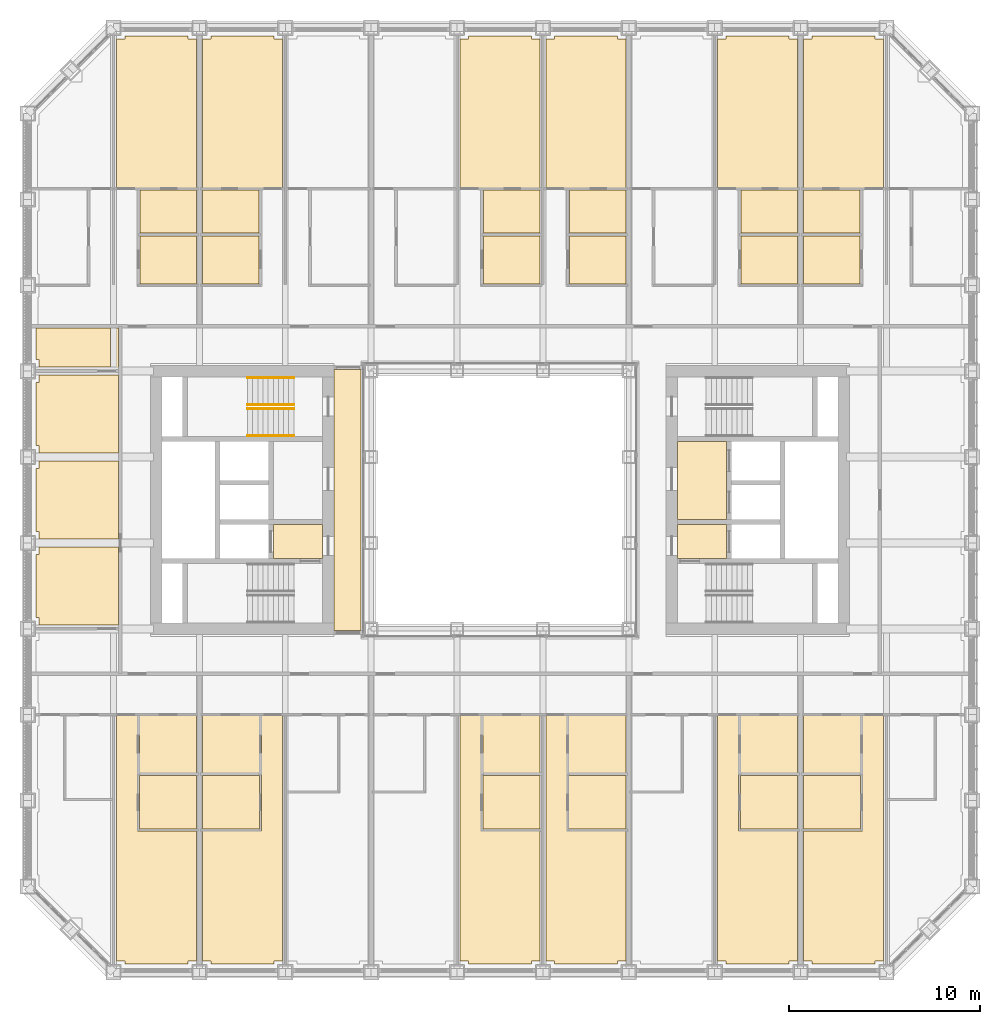
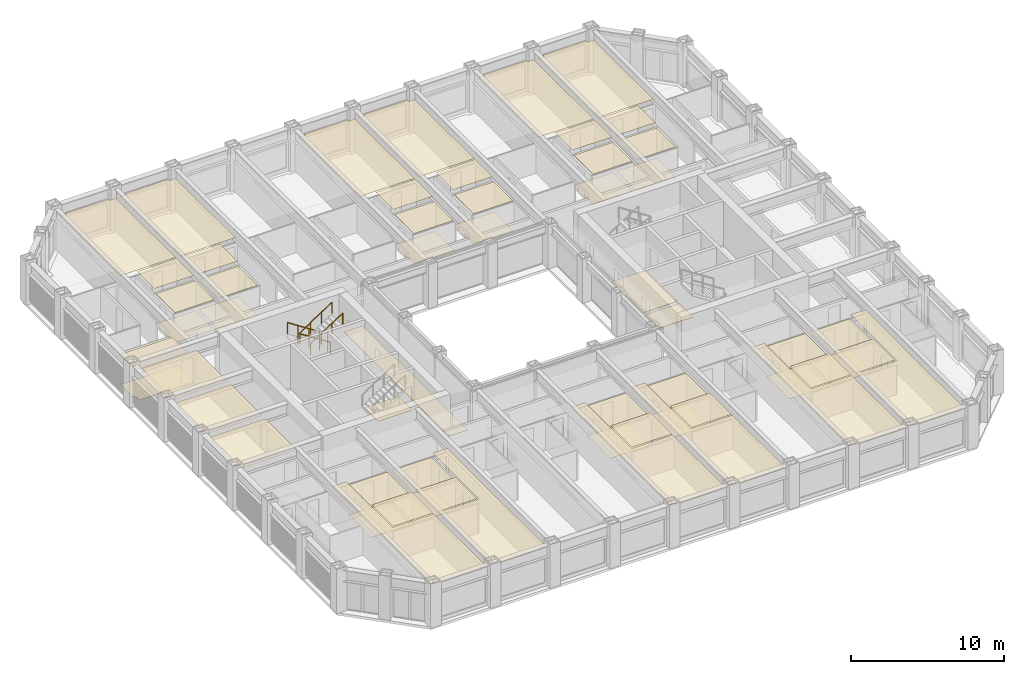
# One storey, part 18 of 21: 4 coverings, 4 railings.
"""IFC4 building model written with IfcOpenShell, lengths in metres."""

from ifc_helpers import new_model, si_unit, direction, frame, origin, origin_2d, place, context, subcontext, project, spatial, line, indexed_curve, circle, outline, extrude, material, layer, layer_set, type_object, element, save


model = new_model("IFC4")

# Units and contexts
model_context = context("Model", 3, precision=1e-05, world=origin(), true_north=direction((0.0, 1.0)))
body_context = subcontext(model_context, "Body", "Model", "MODEL_VIEW")
ifc_project = project(units=[si_unit("LENGTHUNIT", "METRE"), si_unit("AREAUNIT", "SQUARE_METRE"), si_unit("VOLUMEUNIT", "CUBIC_METRE"), si_unit("PLANEANGLEUNIT", "RADIAN"), si_unit("MASSUNIT", "GRAM", prefix="KILO")], contexts=[model_context])

# Site, building, storey
site_placement = place(None, origin())
site = spatial("IfcSite", under=ifc_project, at=site_placement, CompositionType="ELEMENT")
building_placement = place(site_placement, origin())
building = spatial("IfcBuilding", under=site, at=building_placement, Name="Msasa Ring Tower", CompositionType="ELEMENT")
storey_placement = place(building_placement, frame((0.0, 0.0, 47.5)))
storey = spatial("IfcBuildingStorey", under=building, at=storey_placement, Name="L11", CompositionType="ELEMENT", Elevation=47.5)

# Coverings
ifc_material_1 = material(Name="Gypsum plasterboard on a steel suspension grid", Category="steel")
ifc_layer_1 = layer(ifc_material_1, 0.014892578125)
ifc_layer_set_1 = layer_set([ifc_layer_1], Name="C1 SUSPENDED PLASTERBOARD CEILING 15")
covering_type_1 = type_object("IfcCoveringType", Name="C1 SUSPENDED PLASTERBOARD CEILING 15", PredefinedType="CEILING", material=ifc_layer_set_1)
covering_1_placement = place(storey_placement, frame((0.0, 0.0, 2.699951171875)))
element("IfcCovering", 1, at=covering_1_placement, inside=storey, type_object=covering_type_1, Name="Suspended Plasterboard Ceiling 15 L11", PredefinedType="CEILING", context=body_context, shape_type="SweptSolid", body=[
    extrude(outline(indexed_curve([(-20.00048828125, -6.539306640625), (-24.1494140625, -6.539306640625), (-24.1494140625, -6.1494140625), (-24.299560546875, -6.1494140625), (-24.299560546875, -2.8505859375), (-24.1494140625, -2.8505859375), (-24.1494140625, -2.460693359375), (-20.00048828125, -2.460693359375)], segments=[line(1, 2, 3, 4, 5, 6, 7, 8, 1)], self_intersect=False)), origin(), (0.0, 0.0, 1.0), 0.01513671875),
    extrude(outline(indexed_curve([(-20.00048828125, -2.039306640625), (-24.1494140625, -2.039306640625), (-24.1494140625, -1.6494140625), (-24.299560546875, -1.6494140625), (-24.299560546875, 1.6494140625), (-24.1494140625, 1.6494140625), (-24.1494140625, 2.039306640625), (-20.00048828125, 2.039306640625)], segments=[line(1, 2, 3, 4, 5, 6, 7, 8, 1)], self_intersect=False)), origin(), (0.0, 0.0, 1.0), 0.01513671875),
    extrude(outline(indexed_curve([(-20.00048828125, 2.460693359375), (-24.1494140625, 2.460693359375), (-24.1494140625, 2.8505859375), (-24.299560546875, 2.8505859375), (-24.299560546875, 6.1494140625), (-24.1494140625, 6.1494140625), (-24.1494140625, 6.539306640625), (-20.00048828125, 6.539306640625)], segments=[line(1, 2, 3, 4, 5, 6, 7, 8, 1)], self_intersect=False)), origin(), (0.0, 0.0, 1.0), 0.01513671875),
    extrude(outline(indexed_curve([(-19.6494140625, -24.299560546875), (-19.6494140625, -24.1494140625), (-20.095703125, -24.1494140625), (-20.095703125, -11.300537109375), (-19.00048828125, -11.300537109375), (-19.00048828125, -17.34130859375), (-15.904296875, -17.34130859375), (-15.904296875, -24.1494140625), (-16.3505859375, -24.1494140625), (-16.3505859375, -24.299560546875)], segments=[line(1, 2, 3, 4, 5, 6, 7, 8, 9, 10, 1)], self_intersect=False)), origin(), (0.0, 0.0, 1.0), 0.01513671875),
    extrude(outline(indexed_curve([(-20.095703125, 16.35546875), (-20.095703125, 24.1494140625), (-19.6494140625, 24.1494140625), (-19.6494140625, 24.299560546875), (-16.3505859375, 24.299560546875), (-16.3505859375, 24.1494140625), (-15.904296875, 24.1494140625), (-15.904296875, 16.35546875)], segments=[line(1, 2, 3, 4, 5, 6, 7, 8, 1)], self_intersect=False)), origin(), (0.0, 0.0, 1.0), 0.01513671875),
    extrude(outline(indexed_curve([(-15.904296875, -14.430419921875), (-15.904296875, -17.2353515625), (-18.8994140625, -17.2353515625), (-18.8994140625, -14.430419921875)], segments=[line(1, 2, 3, 4, 1)], self_intersect=False)), origin(), (0.0, 0.0, 1.0), 0.01513671875),
    extrude(outline(indexed_curve([(-15.904296875, 16.244384765625), (-15.904296875, 13.98046875), (-18.869384765625, 13.98046875), (-18.869384765625, 16.244384765625)], segments=[line(1, 2, 3, 4, 1)], self_intersect=False)), origin(), (0.0, 0.0, 1.0), 0.01513671875),
    extrude(outline(indexed_curve([(-15.1494140625, -24.299560546875), (-15.1494140625, -24.1494140625), (-15.595703125, -24.1494140625), (-15.595703125, -17.343994140625), (-12.49951171875, -17.343994140625), (-12.49951171875, -11.300537109375), (-11.404296875, -11.300537109375), (-11.404296875, -24.1494140625), (-11.8505859375, -24.1494140625), (-11.8505859375, -24.299560546875)], segments=[line(1, 2, 3, 4, 5, 6, 7, 8, 9, 10, 1)], self_intersect=False)), origin(), (0.0, 0.0, 1.0), 0.01513671875),
    extrude(outline(indexed_curve([(-12.6005859375, -14.430419921875), (-12.6005859375, -17.238037109375), (-15.595703125, -17.238037109375), (-15.595703125, -14.430419921875)], segments=[line(1, 2, 3, 4, 1)], self_intersect=False)), origin(), (0.0, 0.0, 1.0), 0.01513671875),
    extrude(outline(indexed_curve([(-12.630615234375, 16.244384765625), (-12.630615234375, 13.98046875), (-15.595703125, 13.98046875), (-15.595703125, 16.244384765625)], segments=[line(1, 2, 3, 4, 1)], self_intersect=False)), origin(), (0.0, 0.0, 1.0), 0.01513671875),
    extrude(outline(indexed_curve([(-11.8505859375, 24.299560546875), (-11.8505859375, 24.1494140625), (-11.404296875, 24.1494140625), (-11.404296875, 16.35546875), (-15.595703125, 16.35546875), (-15.595703125, 24.1494140625), (-15.1494140625, 24.1494140625), (-15.1494140625, 24.299560546875)], segments=[line(1, 2, 3, 4, 5, 6, 7, 8, 1)], self_intersect=False)), origin(), (0.0, 0.0, 1.0), 0.01513671875),
    extrude(outline(indexed_curve([(-1.00048828125, -11.300537109375), (-1.00048828125, -17.343994140625), (2.095703125, -17.343994140625), (2.095703125, -24.1494140625), (1.6494140625, -24.1494140625), (1.6494140625, -24.299560546875), (-1.6494140625, -24.299560546875), (-1.6494140625, -24.1494140625), (-2.095703125, -24.1494140625), (-2.095703125, -11.300537109375)], segments=[line(1, 2, 3, 4, 5, 6, 7, 8, 9, 10, 1)], self_intersect=False)), origin(), (0.0, 0.0, 1.0), 0.01513671875),
    extrude(outline(indexed_curve([(-2.095703125, 16.35546875), (-2.095703125, 24.1494140625), (-1.6494140625, 24.1494140625), (-1.6494140625, 24.299560546875), (1.6494140625, 24.299560546875), (1.6494140625, 24.1494140625), (2.095703125, 24.1494140625), (2.095703125, 16.35546875)], segments=[line(1, 2, 3, 4, 5, 6, 7, 8, 1)], self_intersect=False)), origin(), (0.0, 0.0, 1.0), 0.01513671875),
    extrude(outline(indexed_curve([(2.095703125, -14.430419921875), (2.095703125, -17.238037109375), (-0.8994140625, -17.238037109375), (-0.8994140625, -14.430419921875)], segments=[line(1, 2, 3, 4, 1)], self_intersect=False)), origin(), (0.0, 0.0, 1.0), 0.01513671875),
    extrude(outline(indexed_curve([(-0.869384765625, 16.244384765625), (2.095703125, 16.244384765625), (2.095703125, 13.98046875), (-0.869384765625, 13.98046875)], segments=[line(1, 2, 3, 4, 1)], self_intersect=False)), origin(), (0.0, 0.0, 1.0), 0.01513671875),
    extrude(outline(indexed_curve([(3.49951171875, -11.300537109375), (3.49951171875, -17.343994140625), (6.595703125, -17.343994140625), (6.595703125, -24.1494140625), (6.1494140625, -24.1494140625), (6.1494140625, -24.299560546875), (2.8505859375, -24.299560546875), (2.8505859375, -24.1494140625), (2.404296875, -24.1494140625), (2.404296875, -11.300537109375)], segments=[line(1, 2, 3, 4, 5, 6, 7, 8, 9, 10, 1)], self_intersect=False)), origin(), (0.0, 0.0, 1.0), 0.01513671875),
    extrude(outline(indexed_curve([(6.1494140625, 24.299560546875), (6.1494140625, 24.1494140625), (6.595703125, 24.1494140625), (6.595703125, 16.35546875), (2.404296875, 16.35546875), (2.404296875, 24.1494140625), (2.8505859375, 24.1494140625), (2.8505859375, 24.299560546875)], segments=[line(1, 2, 3, 4, 5, 6, 7, 8, 1)], self_intersect=False)), origin(), (0.0, 0.0, 1.0), 0.01513671875),
    extrude(outline(indexed_curve([(6.595703125, -14.430419921875), (6.595703125, -17.238037109375), (3.6005859375, -17.238037109375), (3.6005859375, -14.430419921875)], segments=[line(1, 2, 3, 4, 1)], self_intersect=False)), origin(), (0.0, 0.0, 1.0), 0.01513671875),
    extrude(outline(indexed_curve([(6.595703125, 16.244384765625), (6.595703125, 13.98046875), (3.630615234375, 13.98046875), (3.630615234375, 16.244384765625)], segments=[line(1, 2, 3, 4, 1)], self_intersect=False)), origin(), (0.0, 0.0, 1.0), 0.01513671875),
    extrude(outline(indexed_curve([(12.49951171875, -11.300537109375), (12.49951171875, -17.343994140625), (15.595703125, -17.343994140625), (15.595703125, -24.1494140625), (15.1494140625, -24.1494140625), (15.1494140625, -24.299560546875), (11.8505859375, -24.299560546875), (11.8505859375, -24.1494140625), (11.404296875, -24.1494140625), (11.404296875, -11.300537109375)], segments=[line(1, 2, 3, 4, 5, 6, 7, 8, 9, 10, 1)], self_intersect=False)), origin(), (0.0, 0.0, 1.0), 0.01513671875),
    extrude(outline(indexed_curve([(15.1494140625, 24.299560546875), (15.1494140625, 24.1494140625), (15.595703125, 24.1494140625), (15.595703125, 16.35546875), (11.404296875, 16.35546875), (11.404296875, 24.1494140625), (11.8505859375, 24.1494140625), (11.8505859375, 24.299560546875)], segments=[line(1, 2, 3, 4, 5, 6, 7, 8, 1)], self_intersect=False)), origin(), (0.0, 0.0, 1.0), 0.01513671875),
    extrude(outline(indexed_curve([(15.595703125, -14.430419921875), (15.595703125, -17.238037109375), (12.6005859375, -17.238037109375), (12.6005859375, -14.430419921875)], segments=[line(1, 2, 3, 4, 1)], self_intersect=False)), origin(), (0.0, 0.0, 1.0), 0.01513671875),
    extrude(outline(indexed_curve([(15.595703125, 16.244384765625), (15.595703125, 13.98046875), (12.630615234375, 13.98046875), (12.630615234375, 16.244384765625)], segments=[line(1, 2, 3, 4, 1)], self_intersect=False)), origin(), (0.0, 0.0, 1.0), 0.01513671875),
    extrude(outline(indexed_curve([(19.00048828125, -11.300537109375), (20.095703125, -11.300537109375), (20.095703125, -24.1494140625), (19.6494140625, -24.1494140625), (19.6494140625, -24.299560546875), (16.3505859375, -24.299560546875), (16.3505859375, -24.1494140625), (15.904296875, -24.1494140625), (15.904296875, -17.34130859375), (19.00048828125, -17.34130859375)], segments=[line(1, 2, 3, 4, 5, 6, 7, 8, 9, 10, 1)], self_intersect=False)), origin(), (0.0, 0.0, 1.0), 0.01513671875),
    extrude(outline(indexed_curve([(18.8994140625, -14.430419921875), (18.8994140625, -17.2353515625), (15.904296875, -17.2353515625), (15.904296875, -14.430419921875)], segments=[line(1, 2, 3, 4, 1)], self_intersect=False)), origin(), (0.0, 0.0, 1.0), 0.01513671875),
    extrude(outline(indexed_curve([(18.869384765625, 16.244384765625), (18.869384765625, 13.98046875), (15.904296875, 13.98046875), (15.904296875, 16.244384765625)], segments=[line(1, 2, 3, 4, 1)], self_intersect=False)), origin(), (0.0, 0.0, 1.0), 0.01513671875),
    extrude(outline(indexed_curve([(15.904296875, 16.35546875), (15.904296875, 24.1494140625), (16.3505859375, 24.1494140625), (16.3505859375, 24.299560546875), (19.6494140625, 24.299560546875), (19.6494140625, 24.1494140625), (20.095703125, 24.1494140625), (20.095703125, 16.35546875)], segments=[line(1, 2, 3, 4, 5, 6, 7, 8, 1)], self_intersect=False)), origin(), (0.0, 0.0, 1.0), 0.01513671875),
])
ifc_material_2 = material(Name="Moisture-resistant gypsum plasterboard on a steel suspension grid", Category="steel")
ifc_layer_2 = layer(ifc_material_2, 0.014892578125)
ifc_layer_set_2 = layer_set([ifc_layer_2], Name="C2 MOISTURE-RESISTANT PLASTERBOARD CEILING 15")
covering_type_2 = type_object("IfcCoveringType", Name="C2 MOISTURE-RESISTANT PLASTERBOARD CEILING 15", PredefinedType="CEILING", material=ifc_layer_set_2)
covering_2_placement = place(storey_placement, frame((0.0, 0.0, 2.39990234375)))
element("IfcCovering", 2, at=covering_2_placement, inside=storey, type_object=covering_type_2, Name="Moisture-Resistant Plasterboard Ceiling 15 L11", PredefinedType="CEILING", context=body_context, shape_type="SweptSolid", body=[
    extrude(outline(indexed_curve([(-20.404296875, 8.99951171875), (-20.404296875, 6.960693359375), (-24.1494140625, 6.960693359375), (-24.1494140625, 7.3505859375), (-24.299560546875, 7.3505859375), (-24.299560546875, 8.99951171875)], segments=[line(1, 2, 3, 4, 5, 6, 1)], self_intersect=False)), origin(), (0.0, 0.0, 1.0), 0.01513671875),
    extrude(outline(indexed_curve([(-18.8994140625, -14.299560546875), (-18.8994140625, -11.300537109375), (-15.904296875, -11.300537109375), (-15.904296875, -14.299560546875)], segments=[line(1, 2, 3, 4, 1)], self_intersect=False)), origin(), (0.0, 0.0, 1.0), 0.01513671875),
    extrude(outline(indexed_curve([(-18.869384765625, 13.819580078125), (-15.904296875, 13.819580078125), (-15.904296875, 11.305419921875), (-18.869384765625, 11.305419921875)], segments=[line(1, 2, 3, 4, 1)], self_intersect=False)), origin(), (0.0, 0.0, 1.0), 0.01513671875),
    extrude(outline(indexed_curve([(-12.6005859375, -11.300537109375), (-12.6005859375, -14.299560546875), (-15.595703125, -14.299560546875), (-15.595703125, -11.300537109375)], segments=[line(1, 2, 3, 4, 1)], self_intersect=False)), origin(), (0.0, 0.0, 1.0), 0.01513671875),
    extrude(outline(indexed_curve([(-12.630615234375, 13.819580078125), (-12.630615234375, 11.305419921875), (-15.595703125, 11.305419921875), (-15.595703125, 13.819580078125)], segments=[line(1, 2, 3, 4, 1)], self_intersect=False)), origin(), (0.0, 0.0, 1.0), 0.01513671875),
    extrude(outline(indexed_curve([(-0.8994140625, -11.300537109375), (2.095703125, -11.300537109375), (2.095703125, -14.299560546875), (-0.8994140625, -14.299560546875)], segments=[line(1, 2, 3, 4, 1)], self_intersect=False)), origin(), (0.0, 0.0, 1.0), 0.01513671875),
    extrude(outline(indexed_curve([(-0.869384765625, 11.305419921875), (-0.869384765625, 13.819580078125), (2.095703125, 13.819580078125), (2.095703125, 11.305419921875)], segments=[line(1, 2, 3, 4, 1)], self_intersect=False)), origin(), (0.0, 0.0, 1.0), 0.01513671875),
    extrude(outline(indexed_curve([(3.6005859375, -11.300537109375), (6.595703125, -11.300537109375), (6.595703125, -14.299560546875), (3.6005859375, -14.299560546875)], segments=[line(1, 2, 3, 4, 1)], self_intersect=False)), origin(), (0.0, 0.0, 1.0), 0.01513671875),
    extrude(outline(indexed_curve([(3.630615234375, 13.819580078125), (6.595703125, 13.819580078125), (6.595703125, 11.305419921875), (3.630615234375, 11.305419921875)], segments=[line(1, 2, 3, 4, 1)], self_intersect=False)), origin(), (0.0, 0.0, 1.0), 0.01513671875),
    extrude(outline(indexed_curve([(12.6005859375, -11.300537109375), (15.595703125, -11.300537109375), (15.595703125, -14.299560546875), (12.6005859375, -14.299560546875)], segments=[line(1, 2, 3, 4, 1)], self_intersect=False)), origin(), (0.0, 0.0, 1.0), 0.01513671875),
    extrude(outline(indexed_curve([(12.630615234375, 13.819580078125), (15.595703125, 13.819580078125), (15.595703125, 11.305419921875), (12.630615234375, 11.305419921875)], segments=[line(1, 2, 3, 4, 1)], self_intersect=False)), origin(), (0.0, 0.0, 1.0), 0.01513671875),
    extrude(outline(indexed_curve([(18.8994140625, -11.300537109375), (18.8994140625, -14.299560546875), (15.904296875, -14.299560546875), (15.904296875, -11.300537109375)], segments=[line(1, 2, 3, 4, 1)], self_intersect=False)), origin(), (0.0, 0.0, 1.0), 0.01513671875),
    extrude(outline(indexed_curve([(18.869384765625, 13.819580078125), (18.869384765625, 11.305419921875), (15.904296875, 11.305419921875), (15.904296875, 13.819580078125)], segments=[line(1, 2, 3, 4, 1)], self_intersect=False)), origin(), (0.0, 0.0, 1.0), 0.01513671875),
])
ifc_material_3 = material(Name="Honed granite tiles on a mortar bed", Category="masonry")
ifc_layer_3 = layer(ifc_material_3, 0.030029296875)
ifc_layer_set_3 = layer_set([ifc_layer_3], Name="F1 HONED GRANITE ON BEDDING 30")
covering_type_3 = type_object("IfcCoveringType", Name="F1 HONED GRANITE ON BEDDING 30", PredefinedType="FLOORING", material=ifc_layer_set_3)
covering_3_placement = place(storey_placement, origin())
element("IfcCovering", 3, at=covering_3_placement, inside=storey, type_object=covering_type_3, Name="Honed Granite On Bedding 30 L11", PredefinedType="FLOORING", context=body_context, shape_type="SweptSolid", body=[
    extrude(outline(indexed_curve([(-11.87451171875, -3.074462890625), (-11.87451171875, -1.275390625), (-9.300537109375, -1.275390625), (-9.300537109375, -3.074462890625)], segments=[line(1, 2, 3, 4, 1)], self_intersect=False)), origin(), (0.0, 0.0, 1.0), 0.030029296875),
    extrude(outline(indexed_curve([(-8.699462890625, -6.849609375), (-8.699462890625, 6.849609375), (-7.280029296875, 6.849609375), (-7.280029296875, -6.849609375)], segments=[line(1, 2, 3, 4, 1)], self_intersect=False)), origin(), (0.0, 0.0, 1.0), 0.030029296875),
    extrude(outline(indexed_curve([(9.300537109375, -3.074462890625), (9.300537109375, -1.275390625), (11.87451171875, -1.275390625), (11.87451171875, -3.074462890625)], segments=[line(1, 2, 3, 4, 1)], self_intersect=False)), origin(), (0.0, 0.0, 1.0), 0.030029296875),
    extrude(outline(indexed_curve([(9.300537109375, -1.0244140625), (9.300537109375, 3.074462890625), (11.87451171875, 3.074462890625), (11.87451171875, -1.0244140625)], segments=[line(1, 2, 3, 4, 1)], self_intersect=False)), origin(), (0.0, 0.0, 1.0), 0.030029296875),
])
ifc_material_4 = material(Name="Porcelain floor tiles in adhesive", Category="ceramic")
ifc_layer_4 = layer(ifc_material_4, 0.010009765625)
ifc_layer_set_4 = layer_set([ifc_layer_4], Name="F4 PORCELAIN TILE ON ADHESIVE 10")
covering_type_4 = type_object("IfcCoveringType", Name="F4 PORCELAIN TILE ON ADHESIVE 10", PredefinedType="FLOORING", material=ifc_layer_set_4)
covering_4_placement = place(storey_placement, origin())
element("IfcCovering", 4, at=covering_4_placement, inside=storey, type_object=covering_type_4, Name="Porcelain Tile On Adhesive 10 L11", PredefinedType="FLOORING", context=body_context, shape_type="SweptSolid", body=[
    extrude(outline(indexed_curve([(-20.00048828125, 6.83056640625), (-24.1494140625, 6.83056640625), (-24.1494140625, 7.3505859375), (-24.299560546875, 7.3505859375), (-24.299560546875, 8.99951171875), (-20.00048828125, 8.99951171875)], segments=[line(1, 2, 3, 4, 5, 6, 1)], self_intersect=False)), origin(), (0.0, 0.0, 1.0), 0.010009765625),
    extrude(outline(indexed_curve([(-15.87548828125, -11.300537109375), (-15.87548828125, -14.2744140625), (-18.87451171875, -14.2744140625), (-18.87451171875, -11.300537109375)], segments=[line(1, 2, 3, 4, 1)], self_intersect=False)), origin(), (0.0, 0.0, 1.0), 0.010009765625),
    extrude(outline(indexed_curve([(-15.87548828125, 13.819580078125), (-15.87548828125, 11.305419921875), (-18.869384765625, 11.305419921875), (-18.869384765625, 13.819580078125)], segments=[line(1, 2, 3, 4, 1)], self_intersect=False)), origin(), (0.0, 0.0, 1.0), 0.010009765625),
    extrude(outline(indexed_curve([(-12.62548828125, -11.300537109375), (-12.62548828125, -14.2744140625), (-15.62451171875, -14.2744140625), (-15.62451171875, -11.300537109375)], segments=[line(1, 2, 3, 4, 1)], self_intersect=False)), origin(), (0.0, 0.0, 1.0), 0.010009765625),
    extrude(outline(indexed_curve([(-12.630615234375, 13.819580078125), (-12.630615234375, 11.305419921875), (-15.62451171875, 11.305419921875), (-15.62451171875, 13.819580078125)], segments=[line(1, 2, 3, 4, 1)], self_intersect=False)), origin(), (0.0, 0.0, 1.0), 0.010009765625),
    extrude(outline(indexed_curve([(2.189453125, -11.300537109375), (2.189453125, -14.2744140625), (-0.87451171875, -14.2744140625), (-0.87451171875, -11.300537109375)], segments=[line(1, 2, 3, 4, 1)], self_intersect=False)), origin(), (0.0, 0.0, 1.0), 0.010009765625),
    extrude(outline(indexed_curve([(-0.869384765625, 13.819580078125), (2.189453125, 13.819580078125), (2.189453125, 11.305419921875), (-0.869384765625, 11.305419921875)], segments=[line(1, 2, 3, 4, 1)], self_intersect=False)), origin(), (0.0, 0.0, 1.0), 0.010009765625),
    extrude(outline(indexed_curve([(6.62451171875, -11.300537109375), (6.62451171875, -14.2744140625), (3.62548828125, -14.2744140625), (3.62548828125, -11.300537109375)], segments=[line(1, 2, 3, 4, 1)], self_intersect=False)), origin(), (0.0, 0.0, 1.0), 0.010009765625),
    extrude(outline(indexed_curve([(6.62451171875, 13.819580078125), (6.62451171875, 11.305419921875), (3.630615234375, 11.305419921875), (3.630615234375, 13.819580078125)], segments=[line(1, 2, 3, 4, 1)], self_intersect=False)), origin(), (0.0, 0.0, 1.0), 0.010009765625),
    extrude(outline(indexed_curve([(15.62451171875, -11.300537109375), (15.62451171875, -14.2744140625), (12.62548828125, -14.2744140625), (12.62548828125, -11.300537109375)], segments=[line(1, 2, 3, 4, 1)], self_intersect=False)), origin(), (0.0, 0.0, 1.0), 0.010009765625),
    extrude(outline(indexed_curve([(15.62451171875, 13.819580078125), (15.62451171875, 11.305419921875), (12.630615234375, 11.305419921875), (12.630615234375, 13.819580078125)], segments=[line(1, 2, 3, 4, 1)], self_intersect=False)), origin(), (0.0, 0.0, 1.0), 0.010009765625),
    extrude(outline(indexed_curve([(18.87451171875, -11.300537109375), (18.87451171875, -14.2744140625), (15.87548828125, -14.2744140625), (15.87548828125, -11.300537109375)], segments=[line(1, 2, 3, 4, 1)], self_intersect=False)), origin(), (0.0, 0.0, 1.0), 0.010009765625),
    extrude(outline(indexed_curve([(18.869384765625, 13.819580078125), (18.869384765625, 11.305419921875), (15.87548828125, 11.305419921875), (15.87548828125, 13.819580078125)], segments=[line(1, 2, 3, 4, 1)], self_intersect=False)), origin(), (0.0, 0.0, 1.0), 0.010009765625),
])

# Railings
ifc_material_5 = material(Name="Stainless steel", Category="steel")
railing_type = type_object("IfcRailingType", Name="HR1 HANDRAIL 900", PredefinedType="HANDRAIL", material=ifc_material_5)
for number, where, name in (
    (5, (-10.800048828125, 5.0, 0.175048828125), "Handrail stair SWB L11 1"),
    (6, (-10.800048828125, 6.39990234375, 0.175048828125), "Handrail stair SWB L11 2"),
):
    element("IfcRailing", number, at=place(storey_placement, frame(where)), inside=storey, type_object=railing_type, Name=name, PredefinedType="HANDRAIL", context=body_context, shape_type="SweptSolid", body=[
        extrude(circle(Radius=0.02392578125, at=origin_2d()), frame((0.0, 0.0, 0.8759765625), z_axis=(-0.839153699163, 0.0, 0.543894354798), x_axis=(0.0, -1.0, 0.0)), (0.0, 0.0, 1.0), 2.895751953125),
        extrude(circle(Radius=0.02099609375, at=origin_2d()), origin(), (0.0, 0.0, 1.0), 0.851806640625),
        extrude(circle(Radius=0.02099609375, at=origin_2d()), frame((-0.81005859375, 0.0, 0.52490234375)), (0.0, 0.0, 1.0), 0.851806640625),
        extrude(circle(Radius=0.02099609375, at=origin_2d()), frame((-1.619873046875, 0.0, 1.050048828125)), (0.0, 0.0, 1.0), 0.851806640625),
        extrude(circle(Radius=0.02099609375, at=origin_2d()), frame((-2.429931640625, 0.0, 1.574951171875)), (0.0, 0.0, 1.0), 0.851806640625),
    ])
for number, where, name in (
    (7, (-13.22998046875, 3.375, 1.925048828125), "Handrail stair SWB L11 3"),
    (8, (-13.22998046875, 4.77490234375, 1.925048828125), "Handrail stair SWB L11 4"),
):
    element("IfcRailing", number, at=place(storey_placement, frame(where)), inside=storey, type_object=railing_type, Name=name, PredefinedType="HANDRAIL", context=body_context, shape_type="SweptSolid", body=[
        extrude(circle(Radius=0.02392578125, at=origin_2d()), frame((0.0, 0.0, 0.8759765625), z_axis=(0.839153699163, 0.0, 0.543894354798), x_axis=(0.0, 1.0, 0.0)), (0.0, 0.0, 1.0), 2.895751953125),
        extrude(circle(Radius=0.02099609375, at=origin_2d()), origin(), (0.0, 0.0, 1.0), 0.851806640625),
        extrude(circle(Radius=0.02099609375, at=origin_2d()), frame((0.81005859375, 0.0, 0.52490234375)), (0.0, 0.0, 1.0), 0.851806640625),
        extrude(circle(Radius=0.02099609375, at=origin_2d()), frame((1.619873046875, 0.0, 1.050048828125)), (0.0, 0.0, 1.0), 0.851806640625),
        extrude(circle(Radius=0.02099609375, at=origin_2d()), frame((2.429931640625, 0.0, 1.574951171875)), (0.0, 0.0, 1.0), 0.851806640625),
    ])

save(model, "model.ifc")
